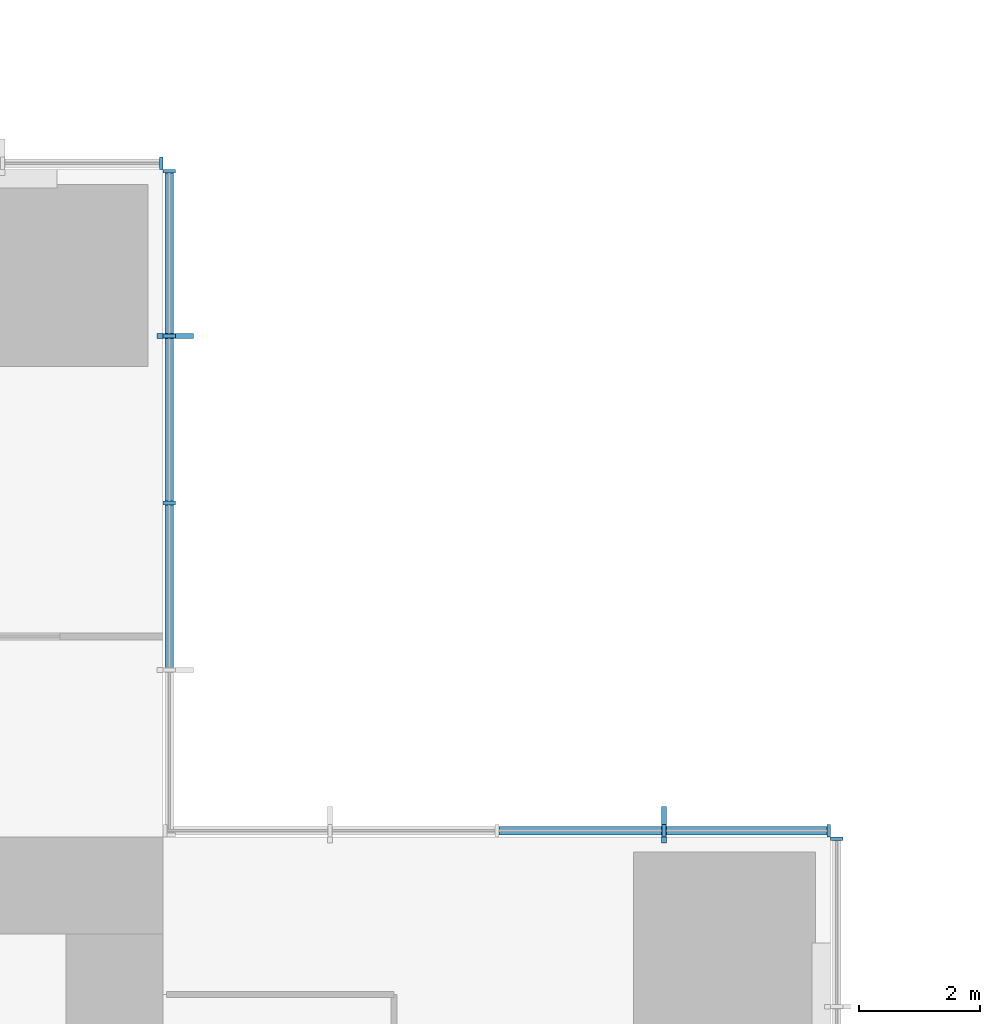
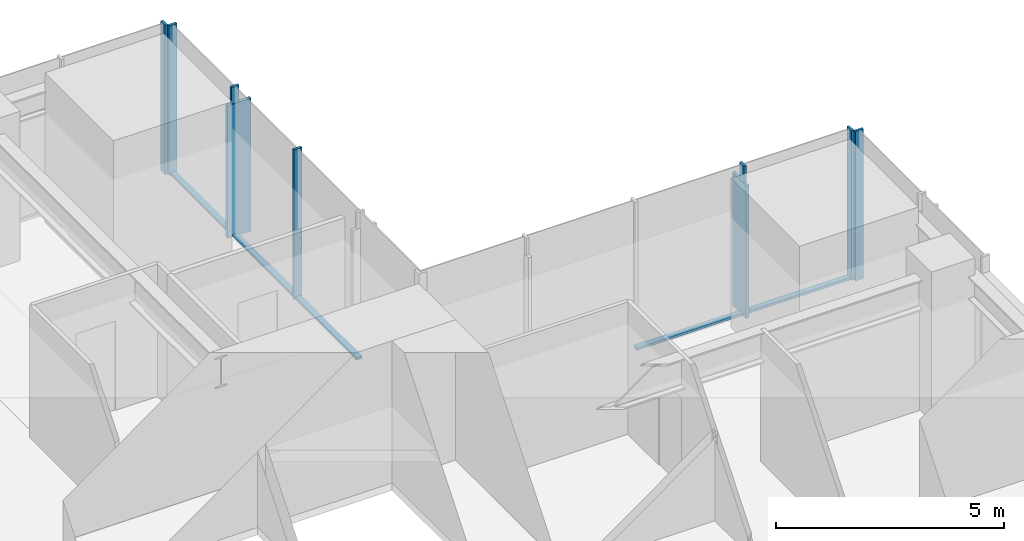
# One storey, part 6 of 13: 14 members, 4 elements without a shape of their own.
"""IFC4 building model written with IfcOpenShell, lengths in metres."""

from ifc_helpers import new_model, si_unit, direction, frame, origin, origin_2d, place, context, subcontext, project, spatial, rectangle, extrude, material, material_profile, profile_set, type_object, element, aggregate, save


model = new_model("IFC4")

# Units and contexts
model_context = context("Model", 3, precision=1e-05, world=origin(), true_north=direction((0.0, 1.0)))
body_context = subcontext(model_context, "Body", "Model", "MODEL_VIEW")
ifc_project = project(units=[si_unit("LENGTHUNIT", "METRE"), si_unit("AREAUNIT", "SQUARE_METRE"), si_unit("VOLUMEUNIT", "CUBIC_METRE"), si_unit("PLANEANGLEUNIT", "RADIAN"), si_unit("MASSUNIT", "GRAM", prefix="KILO")], contexts=[model_context])

# Site, building, storey
site_placement = place(None, origin())
site = spatial("IfcSite", under=ifc_project, at=site_placement, CompositionType="ELEMENT")
building_placement = place(site_placement, origin())
building = spatial("IfcBuilding", under=site, at=building_placement, Name="Svetlomir Tower", CompositionType="ELEMENT")
storey_placement = place(building_placement, frame((0.0, 0.0, 156.5)))
storey = spatial("IfcBuildingStorey", under=building, at=storey_placement, Name="L37", CompositionType="ELEMENT", Elevation=156.5)

# Curtain wall, member
ifc_material_1 = material(Name="Bronze anodised aluminium curtain wall", Category="aluminium")
curtain_wall_type = type_object("IfcCurtainWallType", Name="CURTAIN WALL CW1 TOWER OFFICE", PredefinedType="NOTDEFINED", material=ifc_material_1)
curtain_wall_1_placement = place(storey_placement, origin())
curtain_wall_1 = element("IfcCurtainWall", 1, at=curtain_wall_1_placement, inside=storey, type_object=curtain_wall_type, Name="Curtain wall CW1 L37", PredefinedType="NOTDEFINED")
ifc_material_2 = material(Name="Bronze anodised aluminium", Category="aluminium")
ifc_material_profile_1 = material_profile(ifc_material_2, rectangle(XDim=0.080078125, YDim=0.60009765625, at=origin_2d()), Name="FIN 80x600")
ifc_profile_set_1 = profile_set([ifc_material_profile_1], Name="Bronze anodised aluminium 6063-T6")
member_type_1 = type_object("IfcMemberType", Name="BRONZE FIN 80x600", PredefinedType="USERDEFINED", material=ifc_profile_set_1)
member_1_placement = place(storey_placement, frame((39.25, 31.199951171875, 0.0), z_axis=(0.0, 0.0, 1.0), x_axis=(1.0, 0.0, 0.0)))
member_1 = element("IfcMember", 2, at=member_1_placement, type_object=member_type_1, Name="Bronze fin L37", ObjectType="FIN", PredefinedType="USERDEFINED", context=body_context, shape_type="SweptSolid", body=[
    extrude(rectangle(XDim=0.080078125, YDim=0.60009765625, at=origin_2d()), origin(), (0.0, 0.0, 1.0), 3.550048828125),
])

curtain_wall_2_placement = place(storey_placement, origin())
curtain_wall_2 = element("IfcCurtainWall", 3, at=curtain_wall_2_placement, inside=storey, type_object=curtain_wall_type, Name="Curtain wall CW1 L37", PredefinedType="NOTDEFINED")
member_2_placement = place(storey_placement, frame((31.199951171875, 39.25, 0.0), z_axis=(0.0, 0.0, 1.0), x_axis=(0.0, 1.0, 0.0)))
member_2 = element("IfcMember", 4, at=member_2_placement, type_object=member_type_1, Name="Bronze fin L37", ObjectType="FIN", PredefinedType="USERDEFINED", context=body_context, shape_type="SweptSolid", body=[
    extrude(rectangle(XDim=0.080078125, YDim=0.60009765625, at=origin_2d()), origin(), (0.0, 0.0, 1.0), 3.550048828125),
])

curtain_wall_3_placement = place(storey_placement, origin())
curtain_wall_3 = element("IfcCurtainWall", 5, at=curtain_wall_3_placement, inside=storey, type_object=curtain_wall_type, Name="Curtain wall CW1 L37", PredefinedType="NOTDEFINED")
ifc_material_3 = material(Name="Bronze anodised aluminium", Category="aluminium")
ifc_material_profile_2 = material_profile(ifc_material_3, rectangle(XDim=0.06494140625, YDim=0.199951171875, at=origin_2d()), Name="AL 65x200")
ifc_profile_set_2 = profile_set([ifc_material_profile_2], Name="Bronze anodised aluminium 6063-T6")
member_type_2 = type_object("IfcMemberType", Name="CW1 MULLION 65x200", PredefinedType="MULLION", material=ifc_profile_set_2)
member_3_placement = place(storey_placement, frame((42.10009765625, 30.967529296875, 0.0), z_axis=(0.0, 0.0, 1.0), x_axis=(0.0, 1.0, 0.0)))
member_3 = element("IfcMember", 6, at=member_3_placement, type_object=member_type_2, Name="CW1 mullion 3", PredefinedType="MULLION", context=body_context, shape_type="SweptSolid", body=[
    extrude(rectangle(XDim=0.06494140625, YDim=0.199951171875, at=origin_2d()), origin(), (0.0, 0.0, 1.0), 4.0),
])
aggregate(curtain_wall_3, [member_3])

# Member
member_4_placement = place(storey_placement, frame((41.967529296875, 31.10009765625, 0.0), z_axis=(0.0, 0.0, 1.0), x_axis=(-1.0, 0.0, 0.0)))
member_4 = element("IfcMember", 7, at=member_4_placement, type_object=member_type_2, Name="CW1 mullion 1", PredefinedType="MULLION", context=body_context, shape_type="SweptSolid", body=[
    extrude(rectangle(XDim=0.06494140625, YDim=0.199951171875, at=origin_2d()), origin(), (0.0, 0.0, 1.0), 4.0),
])

member_5_placement = place(storey_placement, frame((39.25, 31.10009765625, 0.0), z_axis=(0.0, 0.0, 1.0), x_axis=(-1.0, 0.0, 0.0)))
member_5 = element("IfcMember", 8, at=member_5_placement, type_object=member_type_2, Name="CW1 mullion 2", PredefinedType="MULLION", context=body_context, shape_type="SweptSolid", body=[
    extrude(rectangle(XDim=0.06494140625, YDim=0.199951171875, at=origin_2d()), origin(), (0.0, 0.0, 1.0), 4.0),
])

member_6_placement = place(storey_placement, frame((31.10009765625, 36.5, 0.0), z_axis=(0.0, 0.0, 1.0), x_axis=(0.0, 1.0, 0.0)))
member_6 = element("IfcMember", 9, at=member_6_placement, type_object=member_type_2, Name="CW1 mullion 3", PredefinedType="MULLION", context=body_context, shape_type="SweptSolid", body=[
    extrude(rectangle(XDim=0.06494140625, YDim=0.199951171875, at=origin_2d()), origin(), (0.0, 0.0, 1.0), 4.0),
])

member_7_placement = place(storey_placement, frame((31.10009765625, 39.25, 0.0), z_axis=(0.0, 0.0, 1.0), x_axis=(0.0, 1.0, 0.0)))
member_7 = element("IfcMember", 10, at=member_7_placement, type_object=member_type_2, Name="CW1 mullion 4", PredefinedType="MULLION", context=body_context, shape_type="SweptSolid", body=[
    extrude(rectangle(XDim=0.06494140625, YDim=0.199951171875, at=origin_2d()), origin(), (0.0, 0.0, 1.0), 4.0),
])

member_8_placement = place(storey_placement, frame((31.10009765625, 41.967529296875, 0.0), z_axis=(0.0, 0.0, 1.0), x_axis=(0.0, 1.0, 0.0)))
member_8 = element("IfcMember", 11, at=member_8_placement, type_object=member_type_2, Name="CW1 mullion 5", PredefinedType="MULLION", context=body_context, shape_type="SweptSolid", body=[
    extrude(rectangle(XDim=0.06494140625, YDim=0.199951171875, at=origin_2d()), origin(), (0.0, 0.0, 1.0), 4.0),
])

# Curtain wall, member
curtain_wall_4_placement = place(storey_placement, origin())
curtain_wall_4 = element("IfcCurtainWall", 12, at=curtain_wall_4_placement, inside=storey, type_object=curtain_wall_type, Name="Curtain wall CW1 L37", PredefinedType="NOTDEFINED")
member_9_placement = place(storey_placement, frame((30.967529296875, 42.10009765625, 0.0), z_axis=(0.0, 0.0, 1.0), x_axis=(-1.0, 0.0, 0.0)))
member_9 = element("IfcMember", 13, at=member_9_placement, type_object=member_type_2, Name="CW1 mullion 1", PredefinedType="MULLION", context=body_context, shape_type="SweptSolid", body=[
    extrude(rectangle(XDim=0.06494140625, YDim=0.199951171875, at=origin_2d()), origin(), (0.0, 0.0, 1.0), 4.0),
])
aggregate(curtain_wall_4, [member_9])

# Member
ifc_material_4 = material(Name="Bronze anodised aluminium", Category="aluminium")
ifc_material_profile_3 = material_profile(ifc_material_4, rectangle(XDim=0.139892578125, YDim=0.06494140625, at=origin_2d()), Name="AL 140x65")
ifc_profile_set_3 = profile_set([ifc_material_profile_3], Name="Bronze anodised aluminium 6063-T6")
member_type_3 = type_object("IfcMemberType", Name="CW1 TRANSOM 65x140", PredefinedType="USERDEFINED", material=ifc_profile_set_3)
member_10_placement = place(storey_placement, frame((41.93505859375, 31.10009765625, 0.032470703125), z_axis=(-1.0, 0.0, 0.0), x_axis=(0.0, -1.0, 0.0)))
member_10 = element("IfcMember", 14, at=member_10_placement, type_object=member_type_3, Name="CW1 transom 1.1", ObjectType="TRANSOM", PredefinedType="USERDEFINED", context=body_context, shape_type="SweptSolid", body=[
    extrude(rectangle(XDim=0.139892578125, YDim=0.06494140625, at=origin_2d()), origin(), (0.0, 0.0, 1.0), 2.652587890625),
])

member_11_placement = place(storey_placement, frame((39.217529296875, 31.10009765625, 0.032470703125), z_axis=(-1.0, 0.0, 0.0), x_axis=(0.0, -1.0, 0.0)))
member_11 = element("IfcMember", 15, at=member_11_placement, type_object=member_type_3, Name="CW1 transom 2.1", ObjectType="TRANSOM", PredefinedType="USERDEFINED", context=body_context, shape_type="SweptSolid", body=[
    extrude(rectangle(XDim=0.139892578125, YDim=0.06494140625, at=origin_2d()), origin(), (0.0, 0.0, 1.0), 2.68505859375),
])

aggregate(curtain_wall_1, [member_4, member_5, member_10, member_11, member_1])

member_12_placement = place(storey_placement, frame((31.10009765625, 33.782470703125, 0.032470703125), z_axis=(0.0, 1.0, 0.0), x_axis=(-1.0, 0.0, 0.0)))
member_12 = element("IfcMember", 16, at=member_12_placement, type_object=member_type_3, Name="CW1 transom 2.1", ObjectType="TRANSOM", PredefinedType="USERDEFINED", context=body_context, shape_type="SweptSolid", body=[
    extrude(rectangle(XDim=0.139892578125, YDim=0.06494140625, at=origin_2d()), origin(), (0.0, 0.0, 1.0), 2.68505859375),
])

member_13_placement = place(storey_placement, frame((31.10009765625, 36.532470703125, 0.032470703125), z_axis=(0.0, 1.0, 0.0), x_axis=(-1.0, 0.0, 0.0)))
member_13 = element("IfcMember", 17, at=member_13_placement, type_object=member_type_3, Name="CW1 transom 3.1", ObjectType="TRANSOM", PredefinedType="USERDEFINED", context=body_context, shape_type="SweptSolid", body=[
    extrude(rectangle(XDim=0.139892578125, YDim=0.06494140625, at=origin_2d()), origin(), (0.0, 0.0, 1.0), 2.68505859375),
])

member_14_placement = place(storey_placement, frame((31.10009765625, 39.282470703125, 0.032470703125), z_axis=(0.0, 1.0, 0.0), x_axis=(-1.0, 0.0, 0.0)))
member_14 = element("IfcMember", 18, at=member_14_placement, type_object=member_type_3, Name="CW1 transom 4.1", ObjectType="TRANSOM", PredefinedType="USERDEFINED", context=body_context, shape_type="SweptSolid", body=[
    extrude(rectangle(XDim=0.139892578125, YDim=0.06494140625, at=origin_2d()), origin(), (0.0, 0.0, 1.0), 2.652587890625),
])

aggregate(curtain_wall_2, [member_6, member_7, member_8, member_12, member_13, member_14, member_2])

save(model, "model.ifc")
